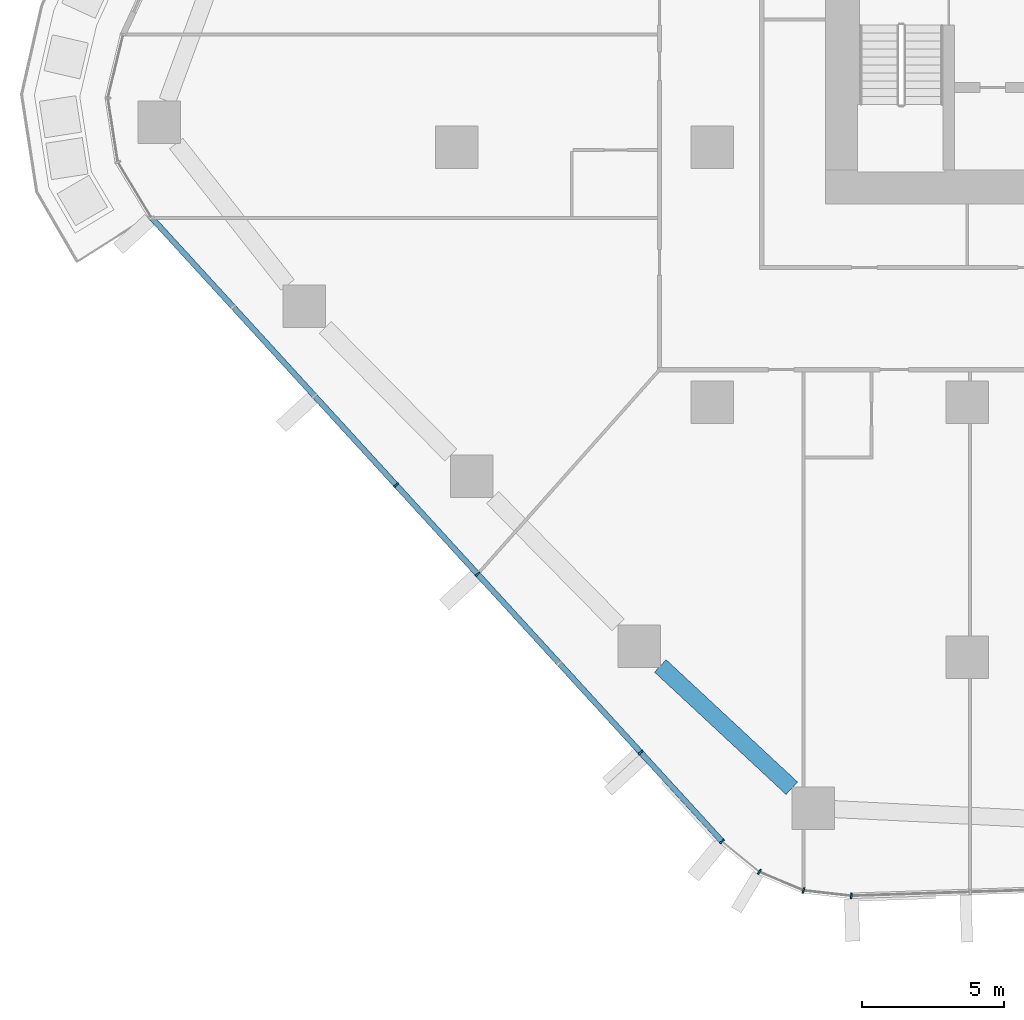
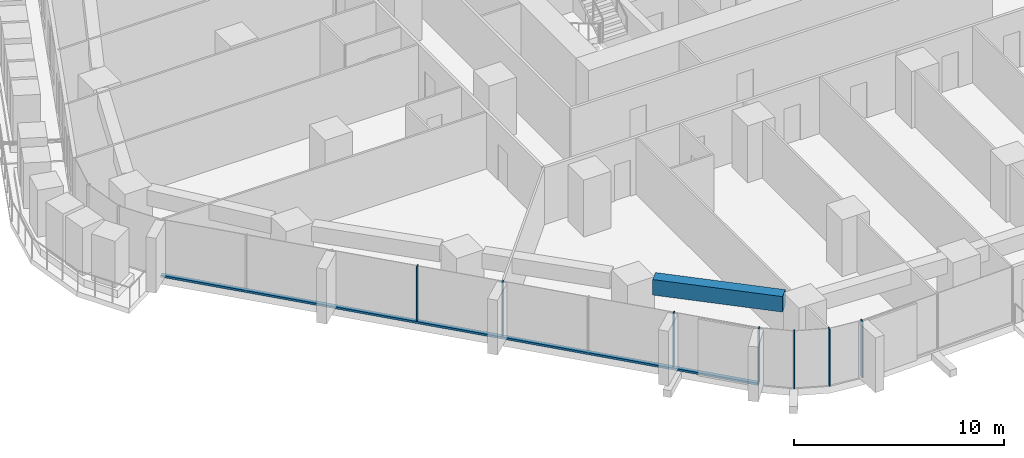
# One storey, part 2 of 27: 8 members, 1 beam, 2 elements without a shape of their own.
"""IFC4 building model written with IfcOpenShell, lengths in metres."""

from ifc_helpers import new_model, si_unit, direction, frame, origin, origin_2d, place, context, subcontext, project, spatial, rectangle, extrude, material, layer, layer_set, material_profile, profile_set, type_object, element, aggregate, save


model = new_model("IFC4")

# Units and contexts
model_context = context("Model", 3, precision=1e-05, world=origin(), true_north=direction((0.0, 1.0)))
body_context = subcontext(model_context, "Body", "Model", "MODEL_VIEW")
ifc_project = project(units=[si_unit("LENGTHUNIT", "METRE"), si_unit("AREAUNIT", "SQUARE_METRE"), si_unit("VOLUMEUNIT", "CUBIC_METRE"), si_unit("PLANEANGLEUNIT", "RADIAN"), si_unit("MASSUNIT", "GRAM", prefix="KILO")], contexts=[model_context])

# Site, building, storey
site_placement = place(None, origin())
site = spatial("IfcSite", under=ifc_project, at=site_placement, CompositionType="ELEMENT")
building_placement = place(site_placement, origin())
building = spatial("IfcBuilding", under=site, at=building_placement, Name="Dongbaek Canopy Tower", CompositionType="ELEMENT")
storey_placement = place(building_placement, frame((0.0, 0.0, 58.800048828125)))
storey = spatial("IfcBuildingStorey", under=building, at=storey_placement, Name="L10", CompositionType="ELEMENT", Elevation=58.800048828125)

# Curtain wall, members
ifc_material_1 = material(Name="Aluminium 6063-T6 pale anodised", Category="aluminium")
ifc_layer = layer(ifc_material_1, 0.199951171875)
ifc_layer_set = layer_set([ifc_layer], Name="CW-1 unitised tower curtain wall")
curtain_wall_type = type_object("IfcCurtainWallType", Name="CW-1 unitised tower curtain wall", PredefinedType="NOTDEFINED", material=ifc_layer_set)
curtain_wall_1_placement = place(storey_placement, origin())
curtain_wall_1 = element("IfcCurtainWall", 1, at=curtain_wall_1_placement, inside=storey, type_object=curtain_wall_type, Name="CW-1 curtain wall F3.1", PredefinedType="NOTDEFINED")
ifc_material_2 = material(Name="Aluminium 6063-T6 pale anodised", Category="aluminium")
ifc_material_profile_1 = material_profile(ifc_material_2, rectangle(XDim=0.199951171875, YDim=0.06005859375, at=origin_2d()), Name="CW-1 mullion 60 x 200")
ifc_profile_set_1 = profile_set([ifc_material_profile_1], Name="Aluminium 6063-T6 pale anodised")
member_type_1 = type_object("IfcMemberType", Name="CW-1 mullion 60 x 200", PredefinedType="MULLION", material=ifc_profile_set_1)
member_1_placement = place(storey_placement, frame((-29.142578125, -20.921142578125, 0.119873046875), z_axis=(0.0, 0.0, 1.0), x_axis=(-0.737854848702, -0.674959422667, 0.0)))
member_1 = element("IfcMember", 2, at=member_1_placement, type_object=member_type_1, Name="CW-1 mullion F3.1.4", PredefinedType="MULLION", context=body_context, shape_type="SweptSolid", body=[
    extrude(rectangle(XDim=0.199951171875, YDim=0.06005859375, at=origin_2d()), origin(), (0.0, 0.0, 1.0), 3.18017578125),
])
member_2_placement = place(storey_placement, frame((-26.266845703125, -24.064697265625, 0.119873046875), z_axis=(0.0, 0.0, 1.0), x_axis=(-0.737854848702, -0.674959422667, 0.0)))
member_2 = element("IfcMember", 3, at=member_2_placement, type_object=member_type_1, Name="CW-1 mullion F3.1.5", PredefinedType="MULLION", context=body_context, shape_type="SweptSolid", body=[
    extrude(rectangle(XDim=0.199951171875, YDim=0.06005859375, at=origin_2d()), origin(), (0.0, 0.0, 1.0), 3.18017578125),
])
member_3_placement = place(storey_placement, frame((-20.515625, -30.35205078125, 0.119873046875), z_axis=(0.0, 0.0, 1.0), x_axis=(-0.737854848702, -0.674959422667, 0.0)))
member_3 = element("IfcMember", 4, at=member_3_placement, type_object=member_type_1, Name="CW-1 mullion F3.1.7", PredefinedType="MULLION", context=body_context, shape_type="SweptSolid", body=[
    extrude(rectangle(XDim=0.199951171875, YDim=0.06005859375, at=origin_2d()), origin(), (0.0, 0.0, 1.0), 3.18017578125),
])
member_4_placement = place(storey_placement, frame((-17.644775390625, -33.490234375, 0.119873046875), z_axis=(0.0, 0.0, 1.0), x_axis=(-0.737854848702, -0.674959422667, 0.0)))
member_4 = element("IfcMember", 5, at=member_4_placement, type_object=member_type_1, Name="CW-1 mullion F3.1.8", PredefinedType="MULLION", context=body_context, shape_type="SweptSolid", body=[
    extrude(rectangle(XDim=0.199951171875, YDim=0.06005859375, at=origin_2d()), origin(), (0.0, 0.0, 1.0), 3.18017578125),
])

curtain_wall_2_placement = place(storey_placement, origin())
curtain_wall_2 = element("IfcCurtainWall", 6, at=curtain_wall_2_placement, inside=storey, type_object=curtain_wall_type, Name="CW-1 curtain wall K4.1", PredefinedType="NOTDEFINED")
member_5_placement = place(storey_placement, frame((-16.33154296875, -34.565673828125, 0.0), z_axis=(0.0, 0.0, 1.0), x_axis=(-0.516170697464, -0.856485733144, 0.0)))
member_5 = element("IfcMember", 7, at=member_5_placement, type_object=member_type_1, Name="CW-1 mullion K4.1.2", PredefinedType="MULLION", context=body_context, shape_type="SweptSolid", body=[
    extrude(rectangle(XDim=0.199951171875, YDim=0.06005859375, at=origin_2d()), origin(), (0.0, 0.0, 1.0), 3.300048828125),
])
member_6_placement = place(storey_placement, frame((-14.77392578125, -35.2216796875, 0.0), z_axis=(0.0, 0.0, 1.0), x_axis=(-0.25211116994, -0.967698278386, 0.0)))
member_6 = element("IfcMember", 8, at=member_6_placement, type_object=member_type_1, Name="CW-1 mullion K4.1.3", PredefinedType="MULLION", context=body_context, shape_type="SweptSolid", body=[
    extrude(rectangle(XDim=0.199951171875, YDim=0.06005859375, at=origin_2d()), origin(), (0.0, 0.0, 1.0), 3.300048828125),
])
member_7_placement = place(storey_placement, frame((-13.0869140625, -35.409912109375, 0.0), z_axis=(0.0, 0.0, 1.0), x_axis=(-0.110876497913, -0.993834192514, 0.0)))
member_7 = element("IfcMember", 9, at=member_7_placement, type_object=member_type_1, Name="CW-1 mullion K4.1.4", PredefinedType="MULLION", context=body_context, shape_type="SweptSolid", body=[
    extrude(rectangle(XDim=0.199951171875, YDim=0.06005859375, at=origin_2d()), origin(), (0.0, 0.0, 1.0), 3.300048828125),
])
aggregate(curtain_wall_2, [member_5, member_6, member_7])

# Member
ifc_material_3 = material(Name="Aluminium 6063-T6 pale anodised", Category="aluminium")
ifc_material_profile_2 = material_profile(ifc_material_3, rectangle(XDim=0.199951171875, YDim=0.1201171875, at=origin_2d()), Name="CW-1 transom 120 x 200")
ifc_profile_set_2 = profile_set([ifc_material_profile_2], Name="Aluminium 6063-T6 pale anodised")
member_type_2 = type_object("IfcMemberType", Name="CW-1 transom 120 x 200", PredefinedType="USERDEFINED", material=ifc_profile_set_2)
member_8_placement = place(storey_placement, frame((-37.762939453125, -11.49755859375, 0.06005859375), z_axis=(0.674962421781, -0.737852105224, 0.0), x_axis=(0.737852105224, 0.674962421781, 0.0)))
member_8 = element("IfcMember", 10, at=member_8_placement, type_object=member_type_2, Name="CW-1 transom F3.1.1", ObjectType="TRANSOM", PredefinedType="USERDEFINED", context=body_context, shape_type="SweptSolid", body=[
    extrude(rectangle(XDim=0.199951171875, YDim=0.1201171875, at=origin_2d()), origin(), (0.0, 0.0, 1.0), 29.806396484375),
])

aggregate(curtain_wall_1, [member_1, member_2, member_3, member_4, member_8])

# Beam
ifc_material_4 = material(Name="Concrete C80", Category="concrete")
ifc_material_profile_3 = material_profile(ifc_material_4, rectangle(XDim=0.60009765625, YDim=0.89990234375, at=origin_2d()), Name="RC EDGE BEAM 600x900 C80")
ifc_profile_set_3 = profile_set([ifc_material_profile_3], Name="Concrete C80")
beam_type = type_object("IfcBeamType", Name="RC EDGE BEAM 600x900 C80", PredefinedType="BEAM", material=ifc_profile_set_3)
beam_placement = place(storey_placement, frame((-15.18408203125, -31.615478515625, 2.849853515625), z_axis=(-0.732207291567, 0.681081846899, 0.0), x_axis=(-0.681081846899, -0.732207291567, 0.0)))
element("IfcBeam", 11, at=beam_placement, inside=storey, type_object=beam_type, Name="EDGEBEAM:L10:04", PredefinedType="BEAM", context=body_context, shape_type="SweptSolid", body=[
    extrude(rectangle(XDim=0.60009765625, YDim=0.89990234375, at=origin_2d()), origin(), (0.0, 0.0, 1.0), 6.3369140625),
])

save(model, "model.ifc")
